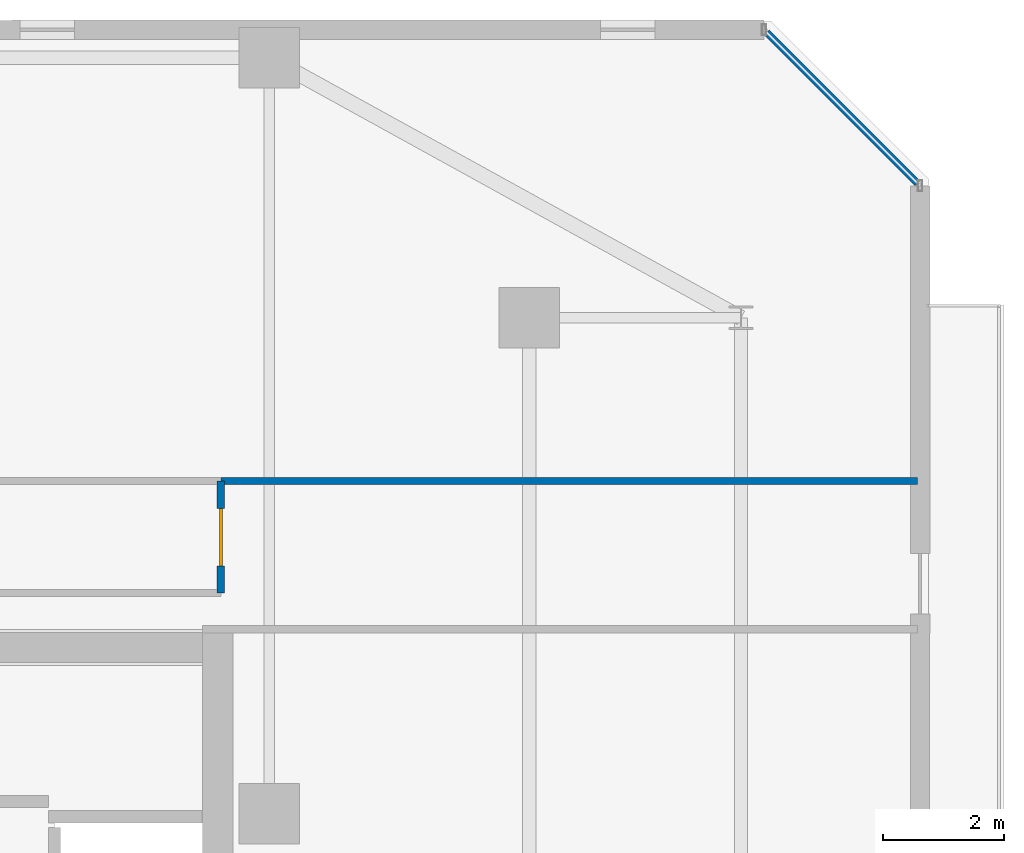
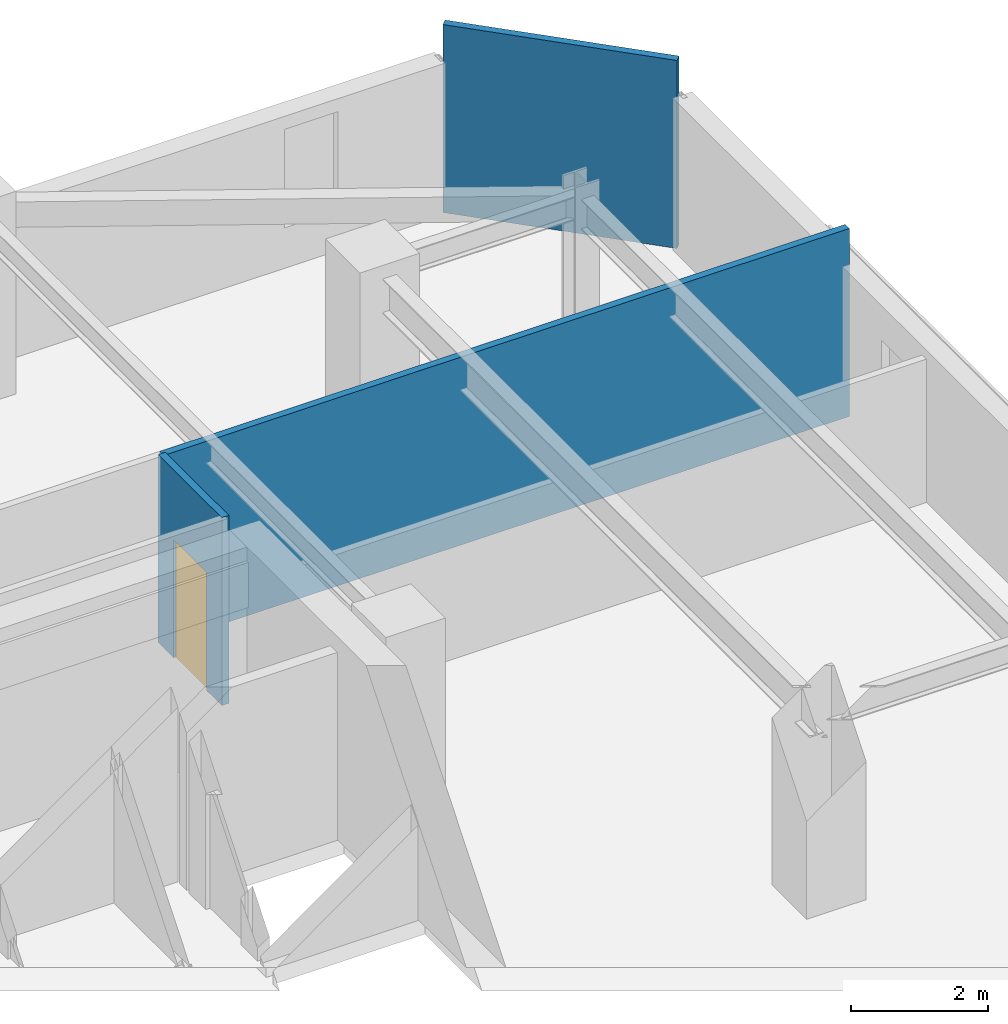
# One storey, part 24 of 31: 3 walls, 1 door, 1 opening.
"""IFC4 building model written with IfcOpenShell, lengths in metres."""

from ifc_helpers import new_model, si_unit, direction, frame, frame_2d, origin, place, context, subcontext, project, spatial, rectangle, extrude, material, layer, layer_set, type_object, element, fill, save


model = new_model("IFC4")

# Units and contexts
model_context = context("Model", 3, precision=1e-05, world=origin(), true_north=direction((0.0, 1.0)))
body_context = subcontext(model_context, "Body", "Model", "MODEL_VIEW")
ifc_project = project(units=[si_unit("LENGTHUNIT", "METRE"), si_unit("AREAUNIT", "SQUARE_METRE"), si_unit("VOLUMEUNIT", "CUBIC_METRE"), si_unit("PLANEANGLEUNIT", "RADIAN"), si_unit("MASSUNIT", "GRAM", prefix="KILO")], contexts=[model_context])

# Site, building, storey
site_placement = place(None, origin())
site = spatial("IfcSite", under=ifc_project, at=site_placement, CompositionType="ELEMENT")
building_placement = place(site_placement, origin())
building = spatial("IfcBuilding", under=site, at=building_placement, Name="Thornwick Lancets Civic Towers", CompositionType="ELEMENT")
storey_placement = place(building_placement, frame((0.0, 0.0, 233.10009765625)))
storey = spatial("IfcBuildingStorey", under=building, at=storey_placement, Name="L62", CompositionType="ELEMENT", Elevation=233.10009765625)

# Wall, opening, door
ifc_material_1 = material(Name="Acoustic gypsum board partition")
ifc_layer = layer(ifc_material_1, 0.1201171875, Name="Acoustic gypsum board partition")
ifc_layer_set = layer_set([ifc_layer], Name="Acoustic gypsum board partition")
wall_type = type_object("IfcWallType", Name="WALL_PART_120", PredefinedType="PARTITIONING", material=ifc_layer_set)
wall_1_placement = place(storey_placement, frame((100.699951171875, 35.449951171875, 0.0), z_axis=(0.0, 0.0, 1.0), x_axis=(0.0, 1.0, 0.0)))
wall_1 = element("IfcWall", 1, at=wall_1_placement, inside=storey, type_object=wall_type, Name="L62 Partition L62-B-RECLAIM-L E3", PredefinedType="PARTITIONING", context=body_context, shape_type="SweptSolid", body=[
    extrude(rectangle(XDim=1.85009765625, YDim=0.1201171875, at=frame_2d((0.925048828125, 0.0))), origin(), (0.0, 0.0, 1.0), 3.33984375),
])
opening_placement = place(wall_1_placement, frame((0.449951171875, 0.0, 0.0)))
opening = element("IfcOpeningElement", 2, at=opening_placement, cuts=wall_1, Name="Opening D-L62-2814", PredefinedType="OPENING", context=body_context, shape_type="SweptSolid", body=[
    extrude(rectangle(XDim=0.949951171875, YDim=2.10009765625, at=frame_2d((0.47509765625, 1.050048828125))), frame((0.0, 0.070068359375, 0.0), z_axis=(0.0, -1.0, 0.0), x_axis=(1.0, 0.0, 0.0)), (0.0, 0.0, 1.0), 0.14013671875),
])
ifc_material_2 = material(Name="European oak acoustic doorset")
door_type = type_object("IfcDoorType", Name="DOOR_OFFICE_950", OperationType="NOTDEFINED", PredefinedType="DOOR", material=ifc_material_2)
door_placement = place(opening_placement, origin())
door = element("IfcDoor", 3, at=door_placement, inside=storey, type_object=door_type, Name="L62 Tower B Parliamentary Drafting Library Door", OperationType="SINGLE_SWING_LEFT", OverallHeight=2.10009765625, OverallWidth=0.949951171875, PredefinedType="DOOR", context=body_context, shape_type="SweptSolid", body=[
    extrude(rectangle(XDim=0.949951171875, YDim=2.10009765625, at=frame_2d((0.47509765625, 1.050048828125))), frame((0.0, 0.02490234375, 0.0), z_axis=(0.0, -1.0, 0.0), x_axis=(1.0, 0.0, 0.0)), (0.0, 0.0, 1.0), 0.050048828125),
])
fill(opening, door)

# Walls
wall_2_placement = place(storey_placement, frame((100.699951171875, 37.300048828125, 0.0), z_axis=(0.0, 0.0, 1.0), x_axis=(1.0, 0.0, 0.0)))
element("IfcWall", 4, at=wall_2_placement, inside=storey, type_object=wall_type, Name="L62 Partition L62-B-RECLAIM-L E4", PredefinedType="PARTITIONING", context=body_context, shape_type="SweptSolid", body=[
    extrude(rectangle(XDim=11.52001953125, YDim=0.1201171875, at=frame_2d((5.760009765625, 0.0))), origin(), (0.0, 0.0, 1.0), 3.33984375),
])
wall_3_placement = place(storey_placement, frame((109.725341796875, 44.719970703125, 0.0), z_axis=(0.0, 0.0, 1.0), x_axis=(0.707106781187, -0.707106781187, 0.0)))
element("IfcWall", 5, at=wall_3_placement, inside=storey, type_object=wall_type, Name="L62 Partition L62-B-E1 E4", PredefinedType="PARTITIONING", context=body_context, shape_type="SweptSolid", body=[
    extrude(rectangle(XDim=3.52783203125, YDim=0.1201171875, at=frame_2d((1.763916015625, 0.0))), origin(), (0.0, 0.0, 1.0), 3.33984375),
])

save(model, "model.ifc")
